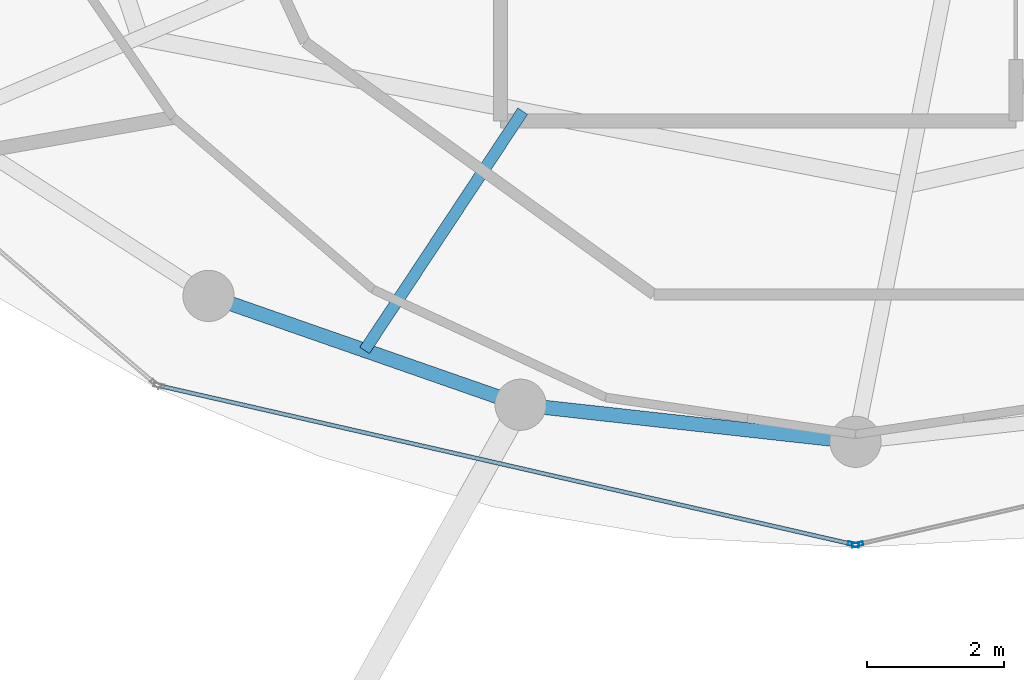
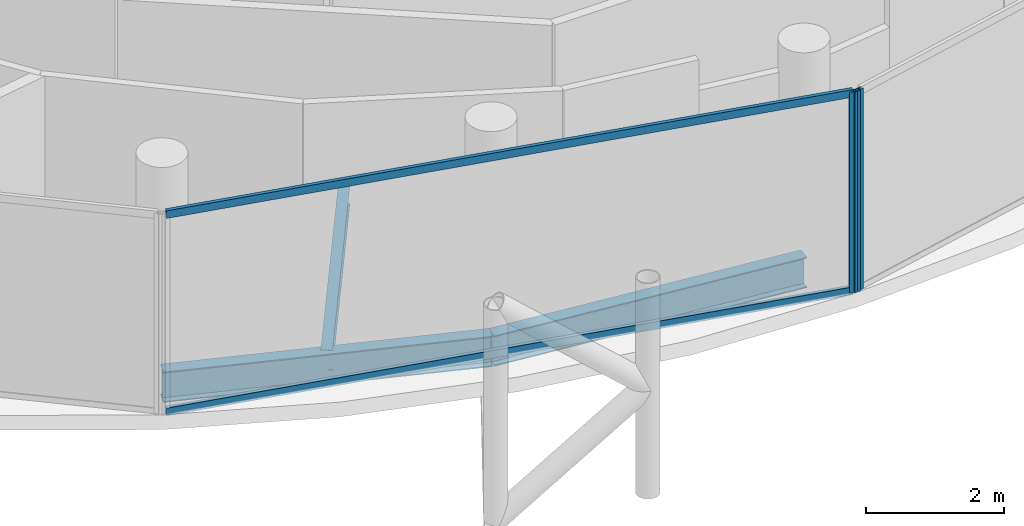
# One storey, part 4 of 24: 4 members, 3 beams, 2 elements without a shape of their own.
"""IFC4 building model written with IfcOpenShell, lengths in metres."""

from ifc_helpers import new_model, si_unit, direction, frame, origin, origin_2d, place, context, subcontext, project, spatial, hollow_rectangle, i_section, extrude, material, layer, layer_set, material_profile, profile_set, type_object, element, aggregate, save


model = new_model("IFC4")

# Units and contexts
model_context = context("Model", 3, precision=1e-05, world=origin(), true_north=direction((0.0, 1.0)))
body_context = subcontext(model_context, "Body", "Model", "MODEL_VIEW")
ifc_project = project(units=[si_unit("LENGTHUNIT", "METRE"), si_unit("AREAUNIT", "SQUARE_METRE"), si_unit("VOLUMEUNIT", "CUBIC_METRE"), si_unit("PLANEANGLEUNIT", "RADIAN"), si_unit("MASSUNIT", "GRAM", prefix="KILO")], contexts=[model_context])

# Site, building, storey
site_placement = place(None, origin())
site = spatial("IfcSite", under=ifc_project, at=site_placement, CompositionType="ELEMENT")
building_placement = place(site_placement, origin())
building = spatial("IfcBuilding", under=site, at=building_placement, Name="Nuhasar Tower", CompositionType="ELEMENT")
storey_placement = place(building_placement, frame((0.0, 0.0, 263.199951171875)))
storey = spatial("IfcBuildingStorey", under=building, at=storey_placement, Name="L65", CompositionType="ELEMENT", Elevation=263.199951171875)

# Beams
ifc_material_1 = material(Name="Steel S355", Category="steel")
ifc_material_profile_1 = material_profile(ifc_material_1, i_section(OverallWidth=0.1708984375, OverallDepth=0.35205078125, WebThickness=0.0068359375, FlangeThickness=0.009765625, at=origin_2d()), Name="W14X30")
ifc_profile_set_1 = profile_set([ifc_material_profile_1], Name="Steel S355")
beam_type_1 = type_object("IfcBeamType", Name="BM-JST-W14X30", PredefinedType="JOIST", material=ifc_profile_set_1)
beam_1_placement = place(storey_placement, frame((34.126953125, 15.693115234375, -0.43603515625), z_axis=(-0.551638003526, -0.834083636733, 0.0), x_axis=(0.834083636733, -0.551638003526, 0.0)))
element("IfcBeam", 1, at=beam_1_placement, inside=storey, type_object=beam_type_1, Name="L65 Secondary Floor Joist 01", PredefinedType="JOIST", context=body_context, shape_type="SweptSolid", body=[
    extrude(i_section(OverallWidth=0.1708984375, OverallDepth=0.35205078125, WebThickness=0.0068359375, FlangeThickness=0.009765625, at=origin_2d()), origin(), (0.0, 0.0, 1.0), 4.199951171875),
])
ifc_material_profile_2 = material_profile(ifc_material_1, i_section(OverallWidth=0.2099609375, OverallDepth=0.537109375, WebThickness=0.010986328125, FlangeThickness=0.017333984375, at=origin_2d()), Name="W21X68")
ifc_profile_set_2 = profile_set([ifc_material_profile_2], Name="Steel S355")
beam_type_2 = type_object("IfcBeamType", Name="BM-RING-W21X68", PredefinedType="SPANDREL", material=ifc_profile_set_2)
beam_2_placement = place(storey_placement, frame((29.52490234375, 12.987060546875, -0.529052734375), z_axis=(0.944214043504, -0.329332415729, 0.0), x_axis=(0.329332415729, 0.944214043504, 0.0)))
element("IfcBeam", 2, at=beam_2_placement, inside=storey, type_object=beam_type_2, Name="L65 Perimeter Ring Spandrel 17", PredefinedType="SPANDREL", context=body_context, shape_type="SweptSolid", body=[
    extrude(i_section(OverallWidth=0.2099609375, OverallDepth=0.537109375, WebThickness=0.010986328125, FlangeThickness=0.017333984375, at=origin_2d()), origin(), (0.0, 0.0, 1.0), 4.840087890625),
])
beam_3_placement = place(storey_placement, frame((34.094970703125, 11.39306640625, -0.529052734375), z_axis=(0.99392889943, -0.110024283128, 0.0), x_axis=(0.110024283128, 0.99392889943, 0.0)))
element("IfcBeam", 3, at=beam_3_placement, inside=storey, type_object=beam_type_2, Name="L65 Perimeter Ring Spandrel 18", PredefinedType="SPANDREL", context=body_context, shape_type="SweptSolid", body=[
    extrude(i_section(OverallWidth=0.2099609375, OverallDepth=0.537109375, WebThickness=0.010986328125, FlangeThickness=0.017333984375, at=origin_2d()), origin(), (0.0, 0.0, 1.0), 4.93505859375),
])

# Curtain wall, member
ifc_material_2 = material(Name="Aluminium 6063-T6", Category="aluminium")
ifc_layer = layer(ifc_material_2, 0.18994140625)
ifc_layer_set = layer_set([ifc_layer], Name="Aluminium 6063-T6")
curtain_wall_type = type_object("IfcCurtainWallType", Name="CW-Z4-PEN", PredefinedType="NOTDEFINED", material=ifc_layer_set)
curtain_wall_1_placement = place(storey_placement, origin())
curtain_wall_1 = element("IfcCurtainWall", 4, at=curtain_wall_1_placement, inside=storey, type_object=curtain_wall_type, Name="L65 Unitised Curtain Wall 09", PredefinedType="NOTDEFINED")
ifc_material_profile_3 = material_profile(ifc_material_2, hollow_rectangle(XDim=0.06005859375, YDim=0.1650390625, WallThickness=0.0048828125, at=origin_2d()), Name="CWM-5")
ifc_profile_set_3 = profile_set([ifc_material_profile_3], Name="Aluminium 6063-T6")
member_type_1 = type_object("IfcMemberType", Name="CW-MUL-S5", PredefinedType="MULLION", material=ifc_profile_set_3)
member_1_placement = place(storey_placement, frame((38.970703125, 9.3466796875, 0.0), z_axis=(0.0, 0.0, 1.0), x_axis=(0.222889487645, 0.97484371891, 0.0)))
member_1 = element("IfcMember", 5, at=member_1_placement, type_object=member_type_1, Name="CW-Z4 mullion 2", PredefinedType="MULLION", context=body_context, shape_type="SweptSolid", body=[
    extrude(hollow_rectangle(XDim=0.06005859375, YDim=0.1650390625, WallThickness=0.0048828125, at=origin_2d()), origin(), (0.0, 0.0, 1.0), 3.5400390625),
])

curtain_wall_2_placement = place(storey_placement, origin())
curtain_wall_2 = element("IfcCurtainWall", 6, at=curtain_wall_2_placement, inside=storey, type_object=curtain_wall_type, Name="L65 Unitised Curtain Wall 10", PredefinedType="NOTDEFINED")
member_2_placement = place(storey_placement, frame((39.029296875, 9.3466796875, 0.0), z_axis=(0.0, 0.0, 1.0), x_axis=(-0.222889487645, 0.97484371891, 0.0)))
member_2 = element("IfcMember", 7, at=member_2_placement, type_object=member_type_1, Name="CW-Z4 mullion 1", PredefinedType="MULLION", context=body_context, shape_type="SweptSolid", body=[
    extrude(hollow_rectangle(XDim=0.06005859375, YDim=0.1650390625, WallThickness=0.0048828125, at=origin_2d()), origin(), (0.0, 0.0, 1.0), 3.5400390625),
])
aggregate(curtain_wall_2, [member_2])

# Member
ifc_material_profile_4 = material_profile(ifc_material_2, hollow_rectangle(XDim=0.06005859375, YDim=0.135009765625, WallThickness=0.00439453125, at=origin_2d()), Name="CWT-5")
ifc_profile_set_4 = profile_set([ifc_material_profile_4], Name="Aluminium 6063-T6")
member_type_2 = type_object("IfcMemberType", Name="CW-TRN-S5", PredefinedType="USERDEFINED", material=ifc_profile_set_4)
member_3_placement = place(storey_placement, frame((28.828369140625, 11.66552734375, 0.030029296875), z_axis=(0.974843752401, -0.222889341163, 0.0), x_axis=(0.222889341163, 0.974843752401, 0.0)))
member_3 = element("IfcMember", 8, at=member_3_placement, type_object=member_type_2, Name="CW-Z4 transom 1.1", ObjectType="TRANSOM", PredefinedType="USERDEFINED", context=body_context, shape_type="SweptSolid", body=[
    extrude(hollow_rectangle(XDim=0.06005859375, YDim=0.135009765625, WallThickness=0.00439453125, at=origin_2d()), origin(), (0.0, 0.0, 1.0), 10.3740234375),
])

member_4_placement = place(storey_placement, frame((28.828369140625, 11.66552734375, 3.510009765625), z_axis=(0.974843752401, -0.222889341163, 0.0), x_axis=(0.222889341163, 0.974843752401, 0.0)))
member_4 = element("IfcMember", 9, at=member_4_placement, type_object=member_type_2, Name="CW-Z4 transom 1.2", ObjectType="TRANSOM", PredefinedType="USERDEFINED", context=body_context, shape_type="SweptSolid", body=[
    extrude(hollow_rectangle(XDim=0.06005859375, YDim=0.135009765625, WallThickness=0.00439453125, at=origin_2d()), origin(), (0.0, 0.0, 1.0), 10.3740234375),
])

aggregate(curtain_wall_1, [member_1, member_3, member_4])

save(model, "model.ifc")
